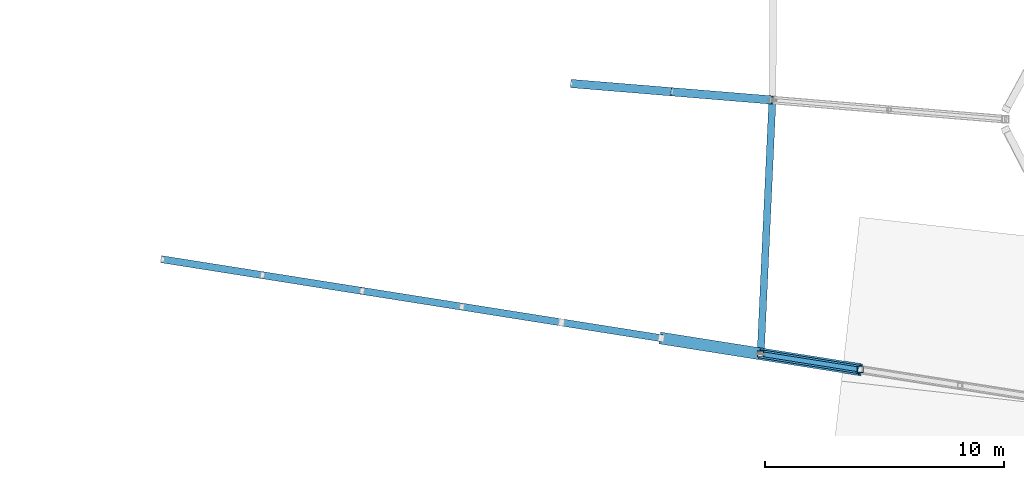
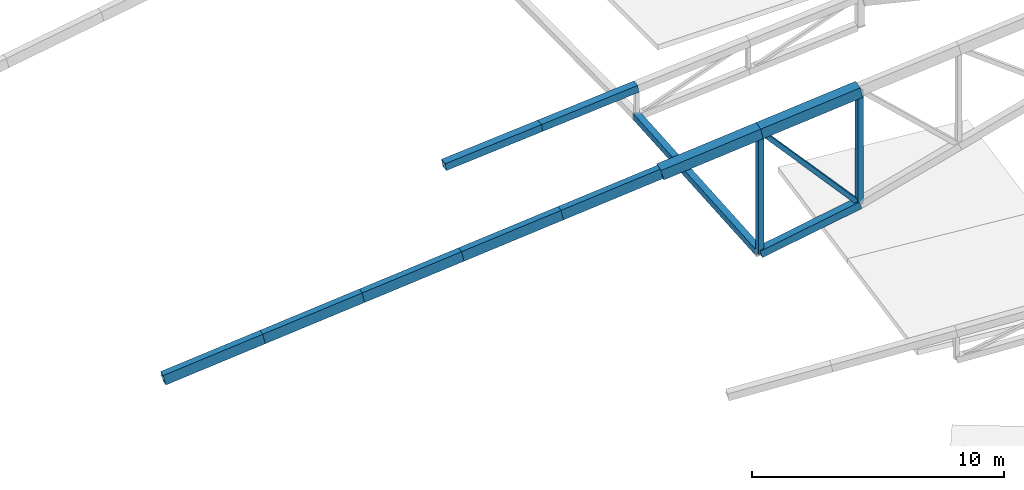
# One storey, part 49 of 188: 14 members.
"""IFC4 building model written with IfcOpenShell, lengths in metres."""

from ifc_helpers import new_model, si_unit, direction, frame, origin, origin_2d, place, context, subcontext, project, spatial, hollow_rectangle, extrude, material, material_profile, profile_set, type_object, element, save


model = new_model("IFC4")

# Units and contexts
model_context = context("Model", 3, precision=1e-05, world=origin(), true_north=direction((0.0, 1.0)))
body_context = subcontext(model_context, "Body", "Model", "MODEL_VIEW")
ifc_project = project(units=[si_unit("LENGTHUNIT", "METRE"), si_unit("AREAUNIT", "SQUARE_METRE"), si_unit("VOLUMEUNIT", "CUBIC_METRE"), si_unit("PLANEANGLEUNIT", "RADIAN"), si_unit("MASSUNIT", "GRAM", prefix="KILO")], contexts=[model_context])

# Site, building, storey
site_placement = place(None, origin())
site = spatial("IfcSite", under=ifc_project, at=site_placement, CompositionType="ELEMENT")
building_placement = place(site_placement, origin())
building = spatial("IfcBuilding", under=site, at=building_placement, Name="Meseta Stadium", CompositionType="ELEMENT")
storey_placement = place(building_placement, frame((0.0, 0.0, 30.0)))
storey = spatial("IfcBuildingStorey", under=building, at=storey_placement, Name="ROOF", CompositionType="ELEMENT", Elevation=30.0)

# Members
ifc_material_1 = material(Name="Steel S355", Category="steel")
ifc_material_profile_1 = material_profile(ifc_material_1, hollow_rectangle(XDim=0.300048828125, YDim=0.5, WallThickness=0.01611328125, at=origin_2d()), Name="RHS 500x300x16")
ifc_profile_set_1 = profile_set([ifc_material_profile_1], Name="Steel S355")
member_type_1 = type_object("IfcMemberType", Name="RHS 500x300x16 top chord", PredefinedType="CHORD", material=ifc_profile_set_1)
member_1_placement = place(storey_placement, frame((59.340576171875, -49.61083984375, 1.05810546875), z_axis=(0.964257554279, -0.152402704241, 0.216750512699), x_axis=(0.15611399753, 0.987739044371, 0.0)))
element("IfcMember", 1, at=member_1_placement, inside=storey, type_object=member_type_1, Name="ROOF TRUSS RT-00 top chord", PredefinedType="CHORD", context=body_context, shape_type="SweptSolid", body=[
    extrude(hollow_rectangle(XDim=0.300048828125, YDim=0.5, WallThickness=0.01611328125, at=origin_2d()), origin(), (0.0, 0.0, 1.0), 4.3251953125),
])
for number, where, z_axis, x_axis, name in (
    (2, (63.51123046875, -50.27001953125, 1.99560546875), (0.964261885476, -0.152355861661, 0.216764175168), (0.156066499211, 0.987746550398, 0.0), "ROOF TRUSS RT-00 top chord"),
    (3, (67.681640625, -50.928955078125, 2.93310546875), (0.96425359107, -0.152410999642, 0.216762310602), (0.15612291387, 0.987737635086, 0.0), "ROOF TRUSS RT-00 top chord"),
    (4, (71.85205078125, -51.588134765625, 3.87060546875), (0.964241791228, -0.152409134546, 0.216816105849), (0.15612291387, 0.987737635086, 0.0), "ROOF TRUSS RT-00 top chord"),
    (5, (76.0224609375, -52.247314453125, 4.808349609375), (0.964261885476, -0.152355861661, 0.216764175168), (0.156066499211, 0.987746550398, 0.0), "ROOF TRUSS RT-00 top chord"),
):
    element("IfcMember", number, at=place(storey_placement, frame(where, z_axis=z_axis, x_axis=x_axis)), inside=storey, type_object=member_type_1, Name=name, PredefinedType="CHORD", context=body_context, shape_type="SweptSolid", body=[
        extrude(hollow_rectangle(XDim=0.300048828125, YDim=0.5, WallThickness=0.01611328125, at=origin_2d()), origin(), (0.0, 0.0, 1.0), 4.324951171875),
    ])
ifc_material_2 = material(Name="Steel S355", Category="steel")
ifc_material_profile_2 = material_profile(ifc_material_2, hollow_rectangle(XDim=0.199951171875, YDim=0.199951171875, WallThickness=0.008056640625, at=origin_2d()), Name="SHS 200x200x8")
ifc_profile_set_2 = profile_set([ifc_material_profile_2], Name="Steel S355")
member_type_2 = type_object("IfcMemberType", Name="SHS 200x200x8 diagonal", PredefinedType="BRACE", material=ifc_profile_set_2)
member_2_placement = place(storey_placement, frame((84.36328125, -53.5654296875, 6.683349609375), z_axis=(0.671062586464, -0.106064722689, -0.733774679073), x_axis=(0.156116912313, 0.98773858368, 0.0)))
element("IfcMember", 6, at=member_2_placement, inside=storey, type_object=member_type_2, Name="ROOF TRUSS RT-00 diagonal", PredefinedType="BRACE", context=body_context, shape_type="SweptSolid", body=[
    extrude(hollow_rectangle(XDim=0.199951171875, YDim=0.199951171875, WallThickness=0.008056640625, at=origin_2d()), origin(), (0.0, 0.0, 1.0), 6.21728515625),
])
ifc_material_3 = material(Name="Steel S355", Category="steel")
ifc_material_profile_3 = material_profile(ifc_material_3, hollow_rectangle(XDim=0.25, YDim=0.25, WallThickness=0.010009765625, at=origin_2d()), Name="SHS 250x250x10")
ifc_profile_set_3 = profile_set([ifc_material_profile_3], Name="Steel S355")
member_type_3 = type_object("IfcMemberType", Name="SHS 250x250x10 post", PredefinedType="POST", material=ifc_profile_set_3)
member_3_placement = place(storey_placement, frame((84.36328125, -53.5654296875, 0.800048828125), z_axis=(0.0, 0.0, 1.0), x_axis=(1.0, 0.0, 0.0)))
element("IfcMember", 7, at=member_3_placement, inside=storey, type_object=member_type_3, Name="ROOF TRUSS RT-00 post", PredefinedType="POST", context=body_context, shape_type="SweptSolid", body=[
    extrude(hollow_rectangle(XDim=0.25, YDim=0.25, WallThickness=0.010009765625, at=origin_2d()), origin(), (0.0, 0.0, 1.0), 5.88330078125),
])
member_4_placement = place(storey_placement, frame((88.535400390625, -54.224853515625, 2.121337890625), z_axis=(0.0, 0.0, 1.0), x_axis=(1.0, 0.0, 0.0)))
element("IfcMember", 8, at=member_4_placement, inside=storey, type_object=member_type_3, Name="ROOF TRUSS RT-00 post", PredefinedType="POST", context=body_context, shape_type="SweptSolid", body=[
    extrude(hollow_rectangle(XDim=0.25, YDim=0.25, WallThickness=0.010009765625, at=origin_2d()), origin(), (0.0, 0.0, 1.0), 5.5),
])
ifc_material_4 = material(Name="Steel S355", Category="steel")
ifc_material_profile_4 = material_profile(ifc_material_4, hollow_rectangle(XDim=0.300048828125, YDim=0.300048828125, WallThickness=0.010009765625, at=origin_2d()), Name="SHS 300x300x10")
ifc_profile_set_4 = profile_set([ifc_material_profile_4], Name="Steel S355")
member_type_4 = type_object("IfcMemberType", Name="SHS 300x300x10 pivot strut", PredefinedType="STRUT", material=ifc_profile_set_4)
member_5_placement = place(storey_placement, frame((84.36328125, -53.5654296875, 0.800048828125), z_axis=(0.046171416705, 0.998933531462, 0.0), x_axis=(-0.998933531462, 0.046171416705, 0.0)))
element("IfcMember", 9, at=member_5_placement, inside=storey, type_object=member_type_4, Name="ROOF PIVOT STRUT RT-00/01", PredefinedType="STRUT", context=body_context, shape_type="SweptSolid", body=[
    extrude(hollow_rectangle(XDim=0.300048828125, YDim=0.300048828125, WallThickness=0.010009765625, at=origin_2d()), origin(), (0.0, 0.0, 1.0), 10.628173828125),
])
ifc_material_5 = material(Name="Steel S355", Category="steel")
ifc_material_profile_5 = material_profile(ifc_material_5, hollow_rectangle(XDim=0.35009765625, YDim=0.35009765625, WallThickness=0.010009765625, at=origin_2d()), Name="SHS 350x350x10")
ifc_profile_set_5 = profile_set([ifc_material_profile_5], Name="Steel S355")
member_type_5 = type_object("IfcMemberType", Name="SHS 350x350x10 bottom chord", PredefinedType="CHORD", material=ifc_profile_set_5)
member_6_placement = place(storey_placement, frame((84.36328125, -53.5654296875, 0.800048828125), z_axis=(0.942692976279, -0.14899723383, 0.298546104958), x_axis=(0.156116912313, 0.98773858368, 0.0)))
element("IfcMember", 10, at=member_6_placement, inside=storey, type_object=member_type_5, Name="ROOF TRUSS RT-00 bottom chord", PredefinedType="CHORD", context=body_context, shape_type="SweptSolid", body=[
    extrude(hollow_rectangle(XDim=0.35009765625, YDim=0.35009765625, WallThickness=0.010009765625, at=origin_2d()), origin(), (0.0, 0.0, 1.0), 4.42578125),
])
ifc_material_6 = material(Name="Steel S355", Category="steel")
ifc_material_profile_6 = material_profile(ifc_material_6, hollow_rectangle(XDim=0.35009765625, YDim=0.35009765625, WallThickness=0.010009765625, at=origin_2d()), Name="SHS 350x350x10")
ifc_profile_set_6 = profile_set([ifc_material_profile_6], Name="Steel S355")
member_type_6 = type_object("IfcMemberType", Name="SHS 350x350x10 top chord", PredefinedType="CHORD", material=ifc_profile_set_6)
for number, where, z_axis, x_axis, name in (
    (11, (76.43798828125, -42.25634765625, 0.93896484375), (0.98559930207, -0.081084927497, 0.148388848275), (0.081992660671, 0.996632933229, 0.0), "ROOF TRUSS RT-01 top chord"),
    (12, (80.64599609375, -42.6025390625, 1.572509765625), (0.985612232044, -0.081028807891, 0.148333611622), (0.081935226242, 0.996637656674, 0.0), "ROOF TRUSS RT-01 top chord"),
):
    element("IfcMember", number, at=place(storey_placement, frame(where, z_axis=z_axis, x_axis=x_axis)), inside=storey, type_object=member_type_6, Name=name, PredefinedType="CHORD", context=body_context, shape_type="SweptSolid", body=[
        extrude(hollow_rectangle(XDim=0.35009765625, YDim=0.35009765625, WallThickness=0.010009765625, at=origin_2d()), origin(), (0.0, 0.0, 1.0), 4.26953125),
    ])
ifc_material_7 = material(Name="Steel S355", Category="steel")
ifc_material_profile_7 = material_profile(ifc_material_7, hollow_rectangle(XDim=0.5, YDim=0.5, WallThickness=0.01611328125, at=origin_2d()), Name="SHS 500x500x16")
ifc_profile_set_7 = profile_set([ifc_material_profile_7], Name="Steel S355")
member_type_7 = type_object("IfcMemberType", Name="SHS 500x500x16 top chord", PredefinedType="CHORD", material=ifc_profile_set_7)
member_7_placement = place(storey_placement, frame((80.19287109375, -52.90625, 5.745849609375), z_axis=(0.96425359107, -0.152410999642, 0.216762310602), x_axis=(0.15612291387, 0.987737635086, 0.0)))
element("IfcMember", 13, at=member_7_placement, inside=storey, type_object=member_type_7, Name="ROOF TRUSS RT-00 top chord", PredefinedType="CHORD", context=body_context, shape_type="SweptSolid", body=[
    extrude(hollow_rectangle(XDim=0.5, YDim=0.5, WallThickness=0.01611328125, at=origin_2d()), origin(), (0.0, 0.0, 1.0), 4.324951171875),
])
member_8_placement = place(storey_placement, frame((84.36328125, -53.5654296875, 6.683349609375), z_axis=(0.964249444355, -0.152404339002, 0.216785438891), x_axis=(0.156116912313, 0.98773858368, 0.0)))
element("IfcMember", 14, at=member_8_placement, inside=storey, type_object=member_type_7, Name="ROOF TRUSS RT-00 top chord", PredefinedType="CHORD", context=body_context, shape_type="SweptSolid", body=[
    extrude(hollow_rectangle(XDim=0.5, YDim=0.5, WallThickness=0.01611328125, at=origin_2d()), origin(), (0.0, 0.0, 1.0), 4.326904296875),
])

save(model, "model.ifc")
